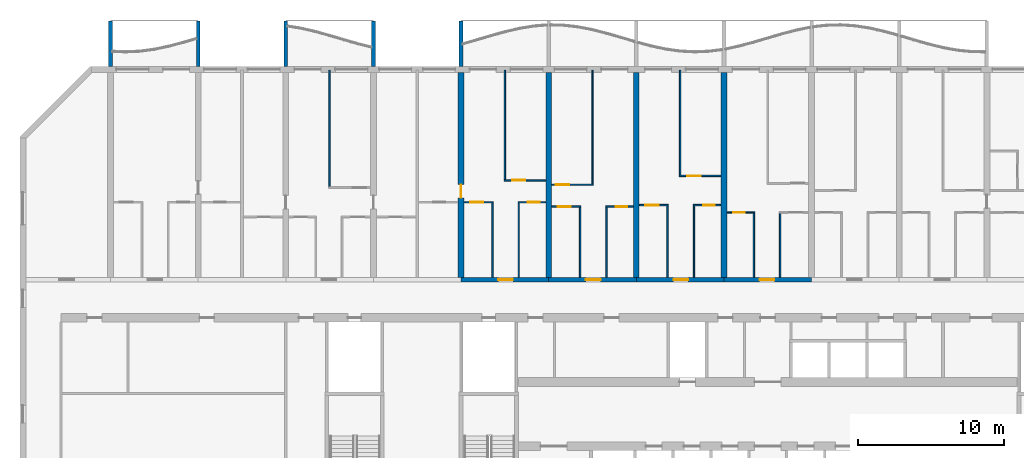
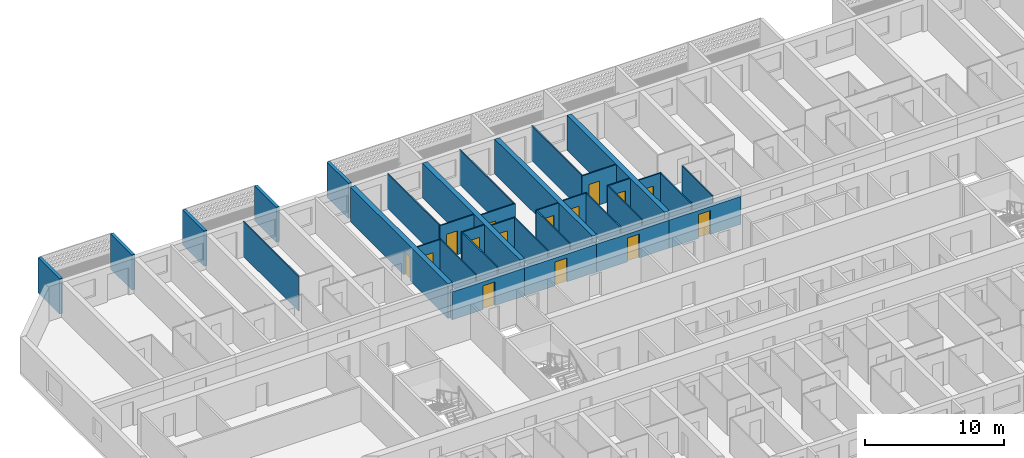
# One storey, part 13 of 44: 35 walls, 15 doors, 15 openings.
"""IFC4 building model written with IfcOpenShell, lengths in metres."""

from ifc_helpers import new_model, si_unit, direction, frame, frame_2d, origin, place, context, subcontext, project, spatial, polyline, rectangle, outline, extrude, source, transform, mapped, material, layer, layer_set, type_object, element, fill, save


model = new_model("IFC4")

# Units and contexts
model_context = context("Model", 3, precision=1e-05, world=origin(), true_north=direction((0.0, 1.0)))
body_context = subcontext(model_context, "Body", "Model", "MODEL_VIEW")
ifc_project = project(units=[si_unit("LENGTHUNIT", "METRE"), si_unit("AREAUNIT", "SQUARE_METRE"), si_unit("VOLUMEUNIT", "CUBIC_METRE"), si_unit("PLANEANGLEUNIT", "RADIAN"), si_unit("MASSUNIT", "GRAM", prefix="KILO")], contexts=[model_context])

# Site, building, storey
site_placement = place(None, origin())
site = spatial("IfcSite", under=ifc_project, at=site_placement, CompositionType="ELEMENT")
building_placement = place(site_placement, origin())
building = spatial("IfcBuilding", under=site, at=building_placement, Name="Poui Terraces", CompositionType="ELEMENT")
storey_placement = place(building_placement, frame((0.0, 0.0, 30.0)))
storey = spatial("IfcBuildingStorey", under=building, at=storey_placement, Name="L07", CompositionType="ELEMENT", Elevation=30.0)

# Wall, opening, door
ifc_material_1 = material(Name="Concrete 80 MPa", Category="concrete")
ifc_layer_1 = layer(ifc_material_1, 0.300048828125)
ifc_layer_set_1 = layer_set([ifc_layer_1], Name="Concrete 80 MPa")
wall_type_1 = type_object("IfcWallType", Name="CORRIDOR WALL 300 80MPa", PredefinedType="SHEAR", material=ifc_layer_set_1)
wall_1_placement = place(storey_placement, frame((30.0, 30.39990234375, 0.0), z_axis=(0.0, 0.0, 1.0), x_axis=(1.0, 0.0, 0.0)))
wall_1 = element("IfcWall", 1, at=wall_1_placement, inside=storey, type_object=wall_type_1, Name="CORRIDOR WALL LINE E BAY 6", PredefinedType="SHEAR", context=body_context, shape_type="SweptSolid", body=[
    extrude(rectangle(XDim=6.0, YDim=0.300048828125, at=frame_2d((3.0, 0.0))), origin(), (0.0, 0.0, 1.0), 2.449951171875),
])
opening_1_placement = place(wall_1_placement, frame((2.550048828125, 0.0, 0.0)))
opening_1 = element("IfcOpeningElement", 2, at=opening_1_placement, cuts=wall_1, Name="Opening FD30S", PredefinedType="OPENING", context=body_context, shape_type="SweptSolid", body=[
    extrude(rectangle(XDim=1.0, YDim=2.10009765625, at=frame_2d((0.5, 1.050048828125))), frame((0.0, 0.16015625, 0.0), z_axis=(0.0, -1.0, 0.0), x_axis=(1.0, 0.0, 0.0)), (0.0, 0.0, 1.0), 0.320068359375),
])
ifc_material_2 = material(Name="Steel fire door", Category="steel")
door_type_1 = type_object("IfcDoorType", Name="FLAT ENTRANCE DOOR 1000 X 2100", OperationType="NOTDEFINED", PredefinedType="DOOR", material=ifc_material_2)
door_1_placement = place(opening_1_placement, origin())
door_1 = element("IfcDoor", 3, at=door_1_placement, inside=storey, type_object=door_type_1, Name="FLAT ENTRANCE DOOR 048", OperationType="SINGLE_SWING_RIGHT", OverallHeight=2.10009765625, OverallWidth=1.0, PredefinedType="DOOR", context=body_context, shape_type="SweptSolid", body=[
    extrude(rectangle(XDim=1.0, YDim=2.10009765625, at=frame_2d((0.5, 1.050048828125))), frame((0.0, 0.02490234375, 0.0), z_axis=(0.0, -1.0, 0.0), x_axis=(1.0, 0.0, 0.0)), (0.0, 0.0, 1.0), 0.050048828125),
])
fill(opening_1, door_1)

wall_2_placement = place(storey_placement, frame((36.0, 30.39990234375, 0.0), z_axis=(0.0, 0.0, 1.0), x_axis=(1.0, 0.0, 0.0)))
wall_2 = element("IfcWall", 4, at=wall_2_placement, inside=storey, type_object=wall_type_1, Name="CORRIDOR WALL LINE E BAY 7", PredefinedType="SHEAR", context=body_context, shape_type="SweptSolid", body=[
    extrude(rectangle(XDim=6.0, YDim=0.300048828125, at=frame_2d((3.0, 0.0))), origin(), (0.0, 0.0, 1.0), 2.449951171875),
])
opening_2_placement = place(wall_2_placement, frame((2.550048828125, 0.0, 0.0)))
opening_2 = element("IfcOpeningElement", 5, at=opening_2_placement, cuts=wall_2, Name="Opening FD30S", PredefinedType="OPENING", context=body_context, shape_type="SweptSolid", body=[
    extrude(rectangle(XDim=1.0, YDim=2.10009765625, at=frame_2d((0.5, 1.050048828125))), frame((0.0, 0.16015625, 0.0), z_axis=(0.0, -1.0, 0.0), x_axis=(1.0, 0.0, 0.0)), (0.0, 0.0, 1.0), 0.320068359375),
])
door_2_placement = place(opening_2_placement, origin())
door_2 = element("IfcDoor", 6, at=door_2_placement, inside=storey, type_object=door_type_1, Name="FLAT ENTRANCE DOOR 053", OperationType="SINGLE_SWING_RIGHT", OverallHeight=2.10009765625, OverallWidth=1.0, PredefinedType="DOOR", context=body_context, shape_type="SweptSolid", body=[
    extrude(rectangle(XDim=1.0, YDim=2.10009765625, at=frame_2d((0.5, 1.050048828125))), frame((0.0, 0.02490234375, 0.0), z_axis=(0.0, -1.0, 0.0), x_axis=(1.0, 0.0, 0.0)), (0.0, 0.0, 1.0), 0.050048828125),
])
fill(opening_2, door_2)

wall_3_placement = place(storey_placement, frame((42.0, 30.39990234375, 0.0), z_axis=(0.0, 0.0, 1.0), x_axis=(1.0, 0.0, 0.0)))
wall_3 = element("IfcWall", 7, at=wall_3_placement, inside=storey, type_object=wall_type_1, Name="CORRIDOR WALL LINE E BAY 8", PredefinedType="SHEAR", context=body_context, shape_type="SweptSolid", body=[
    extrude(rectangle(XDim=6.0, YDim=0.300048828125, at=frame_2d((3.0, 0.0))), origin(), (0.0, 0.0, 1.0), 2.449951171875),
])
opening_3_placement = place(wall_3_placement, frame((2.550048828125, 0.0, 0.0)))
opening_3 = element("IfcOpeningElement", 8, at=opening_3_placement, cuts=wall_3, Name="Opening FD30S", PredefinedType="OPENING", context=body_context, shape_type="SweptSolid", body=[
    extrude(rectangle(XDim=1.0, YDim=2.10009765625, at=frame_2d((0.5, 1.050048828125))), frame((0.0, 0.16015625, 0.0), z_axis=(0.0, -1.0, 0.0), x_axis=(1.0, 0.0, 0.0)), (0.0, 0.0, 1.0), 0.320068359375),
])
door_3_placement = place(opening_3_placement, origin())
door_3 = element("IfcDoor", 9, at=door_3_placement, inside=storey, type_object=door_type_1, Name="FLAT ENTRANCE DOOR 056", OperationType="SINGLE_SWING_RIGHT", OverallHeight=2.10009765625, OverallWidth=1.0, PredefinedType="DOOR", context=body_context, shape_type="SweptSolid", body=[
    extrude(rectangle(XDim=1.0, YDim=2.10009765625, at=frame_2d((0.5, 1.050048828125))), frame((0.0, 0.02490234375, 0.0), z_axis=(0.0, -1.0, 0.0), x_axis=(1.0, 0.0, 0.0)), (0.0, 0.0, 1.0), 0.050048828125),
])
fill(opening_3, door_3)

wall_4_placement = place(storey_placement, frame((48.0, 30.39990234375, 0.0), z_axis=(0.0, 0.0, 1.0), x_axis=(1.0, 0.0, 0.0)))
wall_4 = element("IfcWall", 10, at=wall_4_placement, inside=storey, type_object=wall_type_1, Name="CORRIDOR WALL LINE E BAY 9", PredefinedType="SHEAR", context=body_context, shape_type="SweptSolid", body=[
    extrude(rectangle(XDim=6.0, YDim=0.300048828125, at=frame_2d((3.0, 0.0))), origin(), (0.0, 0.0, 1.0), 2.449951171875),
])
opening_4_placement = place(wall_4_placement, frame((2.449951171875, 0.0, 0.0)))
opening_4 = element("IfcOpeningElement", 11, at=opening_4_placement, cuts=wall_4, Name="Opening FD30S", PredefinedType="OPENING", context=body_context, shape_type="SweptSolid", body=[
    extrude(rectangle(XDim=1.0, YDim=2.10009765625, at=frame_2d((0.5, 1.050048828125))), frame((0.0, 0.16015625, 0.0), z_axis=(0.0, -1.0, 0.0), x_axis=(1.0, 0.0, 0.0)), (0.0, 0.0, 1.0), 0.320068359375),
])
door_4_placement = place(opening_4_placement, origin())
door_4 = element("IfcDoor", 12, at=door_4_placement, inside=storey, type_object=door_type_1, Name="FLAT ENTRANCE DOOR 060", OperationType="SINGLE_SWING_LEFT", OverallHeight=2.10009765625, OverallWidth=1.0, PredefinedType="DOOR", context=body_context, shape_type="SweptSolid", body=[
    extrude(rectangle(XDim=1.0, YDim=2.10009765625, at=frame_2d((0.5, 1.050048828125))), frame((0.0, 0.02490234375, 0.0), z_axis=(0.0, -1.0, 0.0), x_axis=(1.0, 0.0, 0.0)), (0.0, 0.0, 1.0), 0.050048828125),
])
fill(opening_4, door_4)

ifc_layer_2 = layer(ifc_material_1, 0.39990234375)
ifc_layer_set_2 = layer_set([ifc_layer_2], Name="Concrete 80 MPa")
wall_type_2 = type_object("IfcWallType", Name="CROSS WALL 400 80MPa", PredefinedType="SHEAR", material=ifc_layer_set_2)
wall_5_placement = place(storey_placement, frame((30.0, 30.550048828125, 0.0), z_axis=(0.0, 0.0, 1.0), x_axis=(0.0, 1.0, 0.0)))
wall_5 = element("IfcWall", 13, at=wall_5_placement, inside=storey, type_object=wall_type_2, Name="CROSS WALL LINE 6 NORTH", PredefinedType="SHEAR", context=body_context, shape_type="SweptSolid", body=[
    extrude(rectangle(XDim=14.050048828125, YDim=0.39990234375, at=frame_2d((7.02490234375, 0.0))), origin(), (0.0, 0.0, 1.0), 3.050048828125),
])
opening_5_placement = place(wall_5_placement, frame((5.449951171875, 0.0, 0.0)))
opening_5 = element("IfcOpeningElement", 14, at=opening_5_placement, cuts=wall_5, Name="Opening D90", PredefinedType="OPENING", context=body_context, shape_type="SweptSolid", body=[
    extrude(rectangle(XDim=0.89990234375, YDim=2.10009765625, at=frame_2d((0.449951171875, 1.050048828125))), frame((0.0, 0.2099609375, 0.0), z_axis=(0.0, -1.0, 0.0), x_axis=(1.0, 0.0, 0.0)), (0.0, 0.0, 1.0), 0.419921875),
])
ifc_material_3 = material(Name="Solid core timber door", Category="wood")
door_type_2 = type_object("IfcDoorType", Name="INTERNAL DOOR 900 X 2100", OperationType="NOTDEFINED", PredefinedType="DOOR", material=ifc_material_3)
door_5_placement = place(opening_5_placement, origin())
door_5 = element("IfcDoor", 15, at=door_5_placement, inside=storey, type_object=door_type_2, Name="INTERNAL DOOR 046", OperationType="SINGLE_SWING_LEFT", OverallHeight=2.10009765625, OverallWidth=0.89990234375, PredefinedType="DOOR", context=body_context, shape_type="SweptSolid", body=[
    extrude(rectangle(XDim=0.89990234375, YDim=2.10009765625, at=frame_2d((0.449951171875, 1.050048828125))), frame((0.0, 0.02490234375, 0.0), z_axis=(0.0, -1.0, 0.0), x_axis=(1.0, 0.0, 0.0)), (0.0, 0.0, 1.0), 0.050048828125),
])
fill(opening_5, door_5)

# Walls
for number, where, z_axis, x_axis, name in (
    (16, (36.0, 30.550048828125, 0.0), (0.0, 0.0, 1.0), (0.0, 1.0, 0.0), "CROSS WALL LINE 7 NORTH"),
    (17, (42.0, 30.550048828125, 0.0), (0.0, 0.0, 1.0), (0.0, 1.0, 0.0), "CROSS WALL LINE 8 NORTH"),
    (18, (48.0, 30.550048828125, 0.0), (0.0, 0.0, 1.0), (0.0, 1.0, 0.0), "CROSS WALL LINE 9 NORTH"),
):
    element("IfcWall", number, at=place(storey_placement, frame(where, z_axis=z_axis, x_axis=x_axis)), inside=storey, type_object=wall_type_2, Name=name, PredefinedType="SHEAR", context=body_context, shape_type="SweptSolid", body=[
        extrude(rectangle(XDim=14.050048828125, YDim=0.39990234375, at=frame_2d((7.02490234375, 0.0))), origin(), (0.0, 0.0, 1.0), 3.050048828125),
    ])

# Wall, opening, door
ifc_material_4 = material(Name="Plasterboard partition")
ifc_layer_3 = layer(ifc_material_4, 0.10009765625)
ifc_layer_set_3 = layer_set([ifc_layer_3], Name="Plasterboard partition")
wall_type_3 = type_object("IfcWallType", Name="FLAT PARTITION 100", PredefinedType="PARTITIONING", material=ifc_layer_set_3)
wall_6_placement = place(storey_placement, frame((48.2099609375, 35.0, 0.0), z_axis=(0.0, 0.0, 1.0), x_axis=(1.0, 0.0, 0.0)))
wall_6 = element("IfcWall", 19, at=wall_6_placement, inside=storey, type_object=wall_type_3, Name="FLAT PARTITION 100", PredefinedType="PARTITIONING", context=body_context, shape_type="SweptSolid", body=[
    extrude(rectangle(XDim=1.89013671875, YDim=0.10009765625, at=frame_2d((0.945068359375, 0.0))), origin(), (0.0, 0.0, 1.0), 3.050048828125),
])
opening_6_placement = place(wall_6_placement, frame((0.4150390625, 0.0, 0.0)))
opening_6 = element("IfcOpeningElement", 20, at=opening_6_placement, cuts=wall_6, Name="Opening D80", PredefinedType="OPENING", context=body_context, shape_type="SweptSolid", body=[
    extrude(rectangle(XDim=0.800048828125, YDim=2.10009765625, at=frame_2d((0.39990234375, 1.050048828125))), frame((0.0, 0.06005859375, 0.0), z_axis=(0.0, -1.0, 0.0), x_axis=(1.0, 0.0, 0.0)), (0.0, 0.0, 1.0), 0.1201171875),
])
door_type_3 = type_object("IfcDoorType", Name="BATHROOM, LAUNDRY AND STORE DOOR 800 X 2100", OperationType="NOTDEFINED", PredefinedType="DOOR", material=ifc_material_3)
door_6_placement = place(opening_6_placement, frame((0.800048828125, 0.0, 0.0), z_axis=(0.0, 0.0, 1.0), x_axis=(-1.0, 0.0, 0.0)))
door_6 = element("IfcDoor", 21, at=door_6_placement, inside=storey, type_object=door_type_3, Name="BATHROOM, LAUNDRY AND STORE DOOR 059", OperationType="SINGLE_SWING_RIGHT", OverallHeight=2.10009765625, OverallWidth=0.800048828125, PredefinedType="DOOR", context=body_context, shape_type="SweptSolid", body=[
    extrude(rectangle(XDim=0.800048828125, YDim=2.10009765625, at=frame_2d((0.39990234375, 1.050048828125))), frame((0.0, 0.02490234375, 0.0), z_axis=(0.0, -1.0, 0.0), x_axis=(1.0, 0.0, 0.0)), (0.0, 0.0, 1.0), 0.050048828125),
])
fill(opening_6, door_6)

wall_7_placement = place(storey_placement, frame((36.2099609375, 35.39990234375, 0.0), z_axis=(0.0, 0.0, 1.0), x_axis=(1.0, 0.0, 0.0)))
wall_7 = element("IfcWall", 22, at=wall_7_placement, inside=storey, type_object=wall_type_3, Name="FLAT PARTITION 100", PredefinedType="PARTITIONING", context=body_context, shape_type="SweptSolid", body=[
    extrude(rectangle(XDim=1.989990234375, YDim=0.10009765625, at=frame_2d((0.9951171875, 0.0))), origin(), (0.0, 0.0, 1.0), 3.050048828125),
])
opening_7_placement = place(wall_7_placement, frame((0.4150390625, 0.0, 0.0)))
opening_7 = element("IfcOpeningElement", 23, at=opening_7_placement, cuts=wall_7, Name="Opening D90", PredefinedType="OPENING", context=body_context, shape_type="SweptSolid", body=[
    extrude(rectangle(XDim=0.89990234375, YDim=2.10009765625, at=frame_2d((0.449951171875, 1.050048828125))), frame((0.0, 0.06005859375, 0.0), z_axis=(0.0, -1.0, 0.0), x_axis=(1.0, 0.0, 0.0)), (0.0, 0.0, 1.0), 0.1201171875),
])
door_7_placement = place(opening_7_placement, frame((0.89990234375, 0.0, 0.0), z_axis=(0.0, 0.0, 1.0), x_axis=(-1.0, 0.0, 0.0)))
door_7 = element("IfcDoor", 24, at=door_7_placement, inside=storey, type_object=door_type_2, Name="INTERNAL DOOR 052", OperationType="SINGLE_SWING_RIGHT", OverallHeight=2.10009765625, OverallWidth=0.89990234375, PredefinedType="DOOR", context=body_context, shape_type="SweptSolid", body=[
    extrude(rectangle(XDim=0.89990234375, YDim=2.10009765625, at=frame_2d((0.449951171875, 1.050048828125))), frame((0.0, 0.02490234375, 0.0), z_axis=(0.0, -1.0, 0.0), x_axis=(1.0, 0.0, 0.0)), (0.0, 0.0, 1.0), 0.050048828125),
])
fill(opening_7, door_7)

wall_8_placement = place(storey_placement, frame((39.89990234375, 35.39990234375, 0.0), z_axis=(0.0, 0.0, 1.0), x_axis=(1.0, 0.0, 0.0)))
wall_8 = element("IfcWall", 25, at=wall_8_placement, inside=storey, type_object=wall_type_3, Name="FLAT PARTITION 100", PredefinedType="PARTITIONING", context=body_context, shape_type="SweptSolid", body=[
    extrude(rectangle(XDim=1.89013671875, YDim=0.10009765625, at=frame_2d((0.945068359375, 0.0))), origin(), (0.0, 0.0, 1.0), 3.050048828125),
])
opening_8_placement = place(wall_8_placement, frame((0.675048828125, 0.0, 0.0)))
opening_8 = element("IfcOpeningElement", 26, at=opening_8_placement, cuts=wall_8, Name="Opening D80", PredefinedType="OPENING", context=body_context, shape_type="SweptSolid", body=[
    extrude(rectangle(XDim=0.800048828125, YDim=2.10009765625, at=frame_2d((0.39990234375, 1.050048828125))), frame((0.0, 0.06005859375, 0.0), z_axis=(0.0, -1.0, 0.0), x_axis=(1.0, 0.0, 0.0)), (0.0, 0.0, 1.0), 0.1201171875),
])
door_8_placement = place(opening_8_placement, frame((0.800048828125, 0.0, 0.0), z_axis=(0.0, 0.0, 1.0), x_axis=(-1.0, 0.0, 0.0)))
door_8 = element("IfcDoor", 27, at=door_8_placement, inside=storey, type_object=door_type_3, Name="BATHROOM, LAUNDRY AND STORE DOOR 054", OperationType="SINGLE_SWING_LEFT", OverallHeight=2.10009765625, OverallWidth=0.800048828125, PredefinedType="DOOR", context=body_context, shape_type="SweptSolid", body=[
    extrude(rectangle(XDim=0.800048828125, YDim=2.10009765625, at=frame_2d((0.39990234375, 1.050048828125))), frame((0.0, 0.02490234375, 0.0), z_axis=(0.0, -1.0, 0.0), x_axis=(1.0, 0.0, 0.0)), (0.0, 0.0, 1.0), 0.050048828125),
])
fill(opening_8, door_8)

wall_9_placement = place(storey_placement, frame((42.2099609375, 35.5, 0.0), z_axis=(0.0, 0.0, 1.0), x_axis=(1.0, 0.0, 0.0)))
wall_9 = element("IfcWall", 28, at=wall_9_placement, inside=storey, type_object=wall_type_3, Name="FLAT PARTITION 100", PredefinedType="PARTITIONING", context=body_context, shape_type="SweptSolid", body=[
    extrude(rectangle(XDim=1.989990234375, YDim=0.10009765625, at=frame_2d((0.9951171875, 0.0))), origin(), (0.0, 0.0, 1.0), 3.050048828125),
])
opening_9_placement = place(wall_9_placement, frame((0.4150390625, 0.0, 0.0)))
opening_9 = element("IfcOpeningElement", 29, at=opening_9_placement, cuts=wall_9, Name="Opening D90", PredefinedType="OPENING", context=body_context, shape_type="SweptSolid", body=[
    extrude(rectangle(XDim=0.89990234375, YDim=2.10009765625, at=frame_2d((0.449951171875, 1.050048828125))), frame((0.0, 0.06005859375, 0.0), z_axis=(0.0, -1.0, 0.0), x_axis=(1.0, 0.0, 0.0)), (0.0, 0.0, 1.0), 0.1201171875),
])
door_9_placement = place(opening_9_placement, frame((0.89990234375, 0.0, 0.0), z_axis=(0.0, 0.0, 1.0), x_axis=(-1.0, 0.0, 0.0)))
door_9 = element("IfcDoor", 30, at=door_9_placement, inside=storey, type_object=door_type_2, Name="INTERNAL DOOR 055", OperationType="SINGLE_SWING_LEFT", OverallHeight=2.10009765625, OverallWidth=0.89990234375, PredefinedType="DOOR", context=body_context, shape_type="SweptSolid", body=[
    extrude(rectangle(XDim=0.89990234375, YDim=2.10009765625, at=frame_2d((0.449951171875, 1.050048828125))), frame((0.0, 0.02490234375, 0.0), z_axis=(0.0, -1.0, 0.0), x_axis=(1.0, 0.0, 0.0)), (0.0, 0.0, 1.0), 0.050048828125),
])
fill(opening_9, door_9)

wall_10_placement = place(storey_placement, frame((45.89990234375, 35.5, 0.0), z_axis=(0.0, 0.0, 1.0), x_axis=(1.0, 0.0, 0.0)))
wall_10 = element("IfcWall", 31, at=wall_10_placement, inside=storey, type_object=wall_type_3, Name="FLAT PARTITION 100", PredefinedType="PARTITIONING", context=body_context, shape_type="SweptSolid", body=[
    extrude(rectangle(XDim=1.89013671875, YDim=0.10009765625, at=frame_2d((0.945068359375, 0.0))), origin(), (0.0, 0.0, 1.0), 3.050048828125),
])
opening_10_placement = place(wall_10_placement, frame((0.675048828125, 0.0, 0.0)))
opening_10 = element("IfcOpeningElement", 32, at=opening_10_placement, cuts=wall_10, Name="Opening D80", PredefinedType="OPENING", context=body_context, shape_type="SweptSolid", body=[
    extrude(rectangle(XDim=0.800048828125, YDim=2.10009765625, at=frame_2d((0.39990234375, 1.050048828125))), frame((0.0, 0.06005859375, 0.0), z_axis=(0.0, -1.0, 0.0), x_axis=(1.0, 0.0, 0.0)), (0.0, 0.0, 1.0), 0.1201171875),
])
door_10_placement = place(opening_10_placement, frame((0.800048828125, 0.0, 0.0), z_axis=(0.0, 0.0, 1.0), x_axis=(-1.0, 0.0, 0.0)))
door_10 = element("IfcDoor", 33, at=door_10_placement, inside=storey, type_object=door_type_3, Name="BATHROOM, LAUNDRY AND STORE DOOR 058", OperationType="SINGLE_SWING_RIGHT", OverallHeight=2.10009765625, OverallWidth=0.800048828125, PredefinedType="DOOR", context=body_context, shape_type="SweptSolid", body=[
    extrude(rectangle(XDim=0.800048828125, YDim=2.10009765625, at=frame_2d((0.39990234375, 1.050048828125))), frame((0.0, 0.02490234375, 0.0), z_axis=(0.0, -1.0, 0.0), x_axis=(1.0, 0.0, 0.0)), (0.0, 0.0, 1.0), 0.050048828125),
])
fill(opening_10, door_10)

wall_11_placement = place(storey_placement, frame((30.2099609375, 35.699951171875, 0.0), z_axis=(0.0, 0.0, 1.0), x_axis=(1.0, 0.0, 0.0)))
wall_11 = element("IfcWall", 34, at=wall_11_placement, inside=storey, type_object=wall_type_3, Name="FLAT PARTITION 100", PredefinedType="PARTITIONING", context=body_context, shape_type="SweptSolid", body=[
    extrude(rectangle(XDim=1.989990234375, YDim=0.10009765625, at=frame_2d((0.9951171875, 0.0))), origin(), (0.0, 0.0, 1.0), 3.050048828125),
])
opening_11_placement = place(wall_11_placement, frame((0.4150390625, 0.0, 0.0)))
opening_11 = element("IfcOpeningElement", 35, at=opening_11_placement, cuts=wall_11, Name="Opening D90", PredefinedType="OPENING", context=body_context, shape_type="SweptSolid", body=[
    extrude(rectangle(XDim=0.89990234375, YDim=2.10009765625, at=frame_2d((0.449951171875, 1.050048828125))), frame((0.0, 0.06005859375, 0.0), z_axis=(0.0, -1.0, 0.0), x_axis=(1.0, 0.0, 0.0)), (0.0, 0.0, 1.0), 0.1201171875),
])
door_11_placement = place(opening_11_placement, frame((0.89990234375, 0.0, 0.0), z_axis=(0.0, 0.0, 1.0), x_axis=(-1.0, 0.0, 0.0)))
door_11 = element("IfcDoor", 36, at=door_11_placement, inside=storey, type_object=door_type_2, Name="INTERNAL DOOR 047", OperationType="SINGLE_SWING_LEFT", OverallHeight=2.10009765625, OverallWidth=0.89990234375, PredefinedType="DOOR", context=body_context, shape_type="SweptSolid", body=[
    extrude(rectangle(XDim=0.89990234375, YDim=2.10009765625, at=frame_2d((0.449951171875, 1.050048828125))), frame((0.0, 0.02490234375, 0.0), z_axis=(0.0, -1.0, 0.0), x_axis=(1.0, 0.0, 0.0)), (0.0, 0.0, 1.0), 0.050048828125),
])
fill(opening_11, door_11)

wall_12_placement = place(storey_placement, frame((33.89990234375, 35.699951171875, 0.0), z_axis=(0.0, 0.0, 1.0), x_axis=(1.0, 0.0, 0.0)))
wall_12 = element("IfcWall", 37, at=wall_12_placement, inside=storey, type_object=wall_type_3, Name="FLAT PARTITION 100", PredefinedType="PARTITIONING", context=body_context, shape_type="SweptSolid", body=[
    extrude(rectangle(XDim=1.89013671875, YDim=0.10009765625, at=frame_2d((0.945068359375, 0.0))), origin(), (0.0, 0.0, 1.0), 3.050048828125),
])
opening_12_placement = place(wall_12_placement, frame((0.675048828125, 0.0, 0.0)))
opening_12 = element("IfcOpeningElement", 38, at=opening_12_placement, cuts=wall_12, Name="Opening D80", PredefinedType="OPENING", context=body_context, shape_type="SweptSolid", body=[
    extrude(rectangle(XDim=0.800048828125, YDim=2.10009765625, at=frame_2d((0.39990234375, 1.050048828125))), frame((0.0, 0.06005859375, 0.0), z_axis=(0.0, -1.0, 0.0), x_axis=(1.0, 0.0, 0.0)), (0.0, 0.0, 1.0), 0.1201171875),
])
door_12_placement = place(opening_12_placement, frame((0.800048828125, 0.0, 0.0), z_axis=(0.0, 0.0, 1.0), x_axis=(-1.0, 0.0, 0.0)))
door_12 = element("IfcDoor", 39, at=door_12_placement, inside=storey, type_object=door_type_3, Name="BATHROOM, LAUNDRY AND STORE DOOR 050", OperationType="SINGLE_SWING_RIGHT", OverallHeight=2.10009765625, OverallWidth=0.800048828125, PredefinedType="DOOR", context=body_context, shape_type="SweptSolid", body=[
    extrude(rectangle(XDim=0.800048828125, YDim=2.10009765625, at=frame_2d((0.39990234375, 1.050048828125))), frame((0.0, 0.02490234375, 0.0), z_axis=(0.0, -1.0, 0.0), x_axis=(1.0, 0.0, 0.0)), (0.0, 0.0, 1.0), 0.050048828125),
])
fill(opening_12, door_12)

wall_13_placement = place(storey_placement, frame((36.2099609375, 36.89990234375, 0.0), z_axis=(0.0, 0.0, 1.0), x_axis=(1.0, 0.0, 0.0)))
wall_13 = element("IfcWall", 40, at=wall_13_placement, inside=storey, type_object=wall_type_3, Name="FLAT PARTITION 100", PredefinedType="PARTITIONING", context=body_context, shape_type="SweptSolid", body=[
    extrude(rectangle(XDim=2.840087890625, YDim=0.10009765625, at=frame_2d((1.419921875, 0.0))), origin(), (0.0, 0.0, 1.0), 3.050048828125),
])
opening_13_placement = place(wall_13_placement, frame((0.2900390625, 0.0, 0.0)))
opening_13 = element("IfcOpeningElement", 41, at=opening_13_placement, cuts=wall_13, Name="Opening D90", PredefinedType="OPENING", context=body_context, shape_type="SweptSolid", body=[
    extrude(rectangle(XDim=0.89990234375, YDim=2.10009765625, at=frame_2d((0.449951171875, 1.050048828125))), frame((0.0, 0.06005859375, 0.0), z_axis=(0.0, -1.0, 0.0), x_axis=(1.0, 0.0, 0.0)), (0.0, 0.0, 1.0), 0.1201171875),
])
door_13_placement = place(opening_13_placement, frame((0.89990234375, 0.0, 0.0), z_axis=(0.0, 0.0, 1.0), x_axis=(-1.0, 0.0, 0.0)))
door_13 = element("IfcDoor", 42, at=door_13_placement, inside=storey, type_object=door_type_2, Name="INTERNAL DOOR 051", OperationType="SINGLE_SWING_LEFT", OverallHeight=2.10009765625, OverallWidth=0.89990234375, PredefinedType="DOOR", context=body_context, shape_type="SweptSolid", body=[
    extrude(rectangle(XDim=0.89990234375, YDim=2.10009765625, at=frame_2d((0.449951171875, 1.050048828125))), frame((0.0, 0.02490234375, 0.0), z_axis=(0.0, -1.0, 0.0), x_axis=(1.0, 0.0, 0.0)), (0.0, 0.0, 1.0), 0.050048828125),
])
fill(opening_13, door_13)

wall_14_placement = place(storey_placement, frame((32.949951171875, 37.199951171875, 0.0), z_axis=(0.0, 0.0, 1.0), x_axis=(1.0, 0.0, 0.0)))
wall_14 = element("IfcWall", 43, at=wall_14_placement, inside=storey, type_object=wall_type_3, Name="FLAT PARTITION 100", PredefinedType="PARTITIONING", context=body_context, shape_type="SweptSolid", body=[
    extrude(rectangle(XDim=2.840087890625, YDim=0.10009765625, at=frame_2d((1.419921875, 0.0))), origin(), (0.0, 0.0, 1.0), 3.050048828125),
])
opening_14_placement = place(wall_14_placement, frame((0.550048828125, 0.0, 0.0)))
opening_14 = element("IfcOpeningElement", 44, at=opening_14_placement, cuts=wall_14, Name="Opening D90", PredefinedType="OPENING", context=body_context, shape_type="SweptSolid", body=[
    extrude(rectangle(XDim=0.89990234375, YDim=2.10009765625, at=frame_2d((0.449951171875, 1.050048828125))), frame((0.0, 0.06005859375, 0.0), z_axis=(0.0, -1.0, 0.0), x_axis=(1.0, 0.0, 0.0)), (0.0, 0.0, 1.0), 0.1201171875),
])
door_14_placement = place(opening_14_placement, frame((0.89990234375, 0.0, 0.0), z_axis=(0.0, 0.0, 1.0), x_axis=(-1.0, 0.0, 0.0)))
door_14 = element("IfcDoor", 45, at=door_14_placement, inside=storey, type_object=door_type_2, Name="INTERNAL DOOR 049", OperationType="SINGLE_SWING_LEFT", OverallHeight=2.10009765625, OverallWidth=0.89990234375, PredefinedType="DOOR", context=body_context, shape_type="SweptSolid", body=[
    extrude(rectangle(XDim=0.89990234375, YDim=2.10009765625, at=frame_2d((0.449951171875, 1.050048828125))), frame((0.0, 0.02490234375, 0.0), z_axis=(0.0, -1.0, 0.0), x_axis=(1.0, 0.0, 0.0)), (0.0, 0.0, 1.0), 0.050048828125),
])
fill(opening_14, door_14)

wall_15_placement = place(storey_placement, frame((44.949951171875, 37.5, 0.0), z_axis=(0.0, 0.0, 1.0), x_axis=(1.0, 0.0, 0.0)))
wall_15 = element("IfcWall", 46, at=wall_15_placement, inside=storey, type_object=wall_type_3, Name="FLAT PARTITION 100", PredefinedType="PARTITIONING", context=body_context, shape_type="SweptSolid", body=[
    extrude(rectangle(XDim=2.840087890625, YDim=0.10009765625, at=frame_2d((1.419921875, 0.0))), origin(), (0.0, 0.0, 1.0), 3.050048828125),
])
opening_15_placement = place(wall_15_placement, frame((0.550048828125, 0.0, 0.0)))
opening_15 = element("IfcOpeningElement", 47, at=opening_15_placement, cuts=wall_15, Name="Opening D90", PredefinedType="OPENING", context=body_context, shape_type="SweptSolid", body=[
    extrude(rectangle(XDim=0.89990234375, YDim=2.10009765625, at=frame_2d((0.449951171875, 1.050048828125))), frame((0.0, 0.06005859375, 0.0), z_axis=(0.0, -1.0, 0.0), x_axis=(1.0, 0.0, 0.0)), (0.0, 0.0, 1.0), 0.1201171875),
])
door_15_placement = place(opening_15_placement, frame((0.89990234375, 0.0, 0.0), z_axis=(0.0, 0.0, 1.0), x_axis=(-1.0, 0.0, 0.0)))
door_15 = element("IfcDoor", 48, at=door_15_placement, inside=storey, type_object=door_type_2, Name="INTERNAL DOOR 057", OperationType="SINGLE_SWING_LEFT", OverallHeight=2.10009765625, OverallWidth=0.89990234375, PredefinedType="DOOR", context=body_context, shape_type="SweptSolid", body=[
    extrude(rectangle(XDim=0.89990234375, YDim=2.10009765625, at=frame_2d((0.449951171875, 1.050048828125))), frame((0.0, 0.02490234375, 0.0), z_axis=(0.0, -1.0, 0.0), x_axis=(1.0, 0.0, 0.0)), (0.0, 0.0, 1.0), 0.050048828125),
])
fill(opening_15, door_15)

# Walls
wall_16_placement = place(storey_placement, frame((21.0, 36.75, 0.0), z_axis=(0.0, 0.0, 1.0), x_axis=(0.0, 1.0, 0.0)))
element("IfcWall", 49, at=wall_16_placement, inside=storey, type_object=wall_type_3, Name="FLAT PARTITION 100", PredefinedType="PARTITIONING", context=body_context, shape_type="SweptSolid", body=[
    extrude(rectangle(XDim=7.989990234375, YDim=0.10009765625, at=frame_2d((3.9951171875, 0.0))), origin(), (0.0, 0.0, 1.0), 3.050048828125),
])
wall_17_placement = place(storey_placement, frame((32.14990234375, 30.56005859375, 0.0), z_axis=(0.0, 0.0, 1.0), x_axis=(0.0, 1.0, 0.0)))
element("IfcWall", 50, at=wall_17_placement, inside=storey, type_object=wall_type_3, Name="FLAT PARTITION 100", PredefinedType="PARTITIONING", context=body_context, shape_type="SweptSolid", body=[
    extrude(rectangle(XDim=5.08984375, YDim=0.10009765625, at=frame_2d((2.544921875, 0.0))), origin(), (0.0, 0.0, 1.0), 3.050048828125),
])
wall_18_placement = place(storey_placement, frame((33.0, 37.25, 0.0), z_axis=(0.0, 0.0, 1.0), x_axis=(0.0, 1.0, 0.0)))
element("IfcWall", 51, at=wall_18_placement, inside=storey, type_object=wall_type_3, Name="FLAT PARTITION 100", PredefinedType="PARTITIONING", context=body_context, shape_type="SweptSolid", body=[
    extrude(rectangle(XDim=7.489990234375, YDim=0.10009765625, at=frame_2d((3.7451171875, 0.0))), origin(), (0.0, 0.0, 1.0), 3.050048828125),
])
wall_19_placement = place(storey_placement, frame((33.949951171875, 30.56005859375, 0.0), z_axis=(0.0, 0.0, 1.0), x_axis=(0.0, 1.0, 0.0)))
element("IfcWall", 52, at=wall_19_placement, inside=storey, type_object=wall_type_3, Name="FLAT PARTITION 100", PredefinedType="PARTITIONING", context=body_context, shape_type="SweptSolid", body=[
    extrude(rectangle(XDim=5.08984375, YDim=0.10009765625, at=frame_2d((2.544921875, 0.0))), origin(), (0.0, 0.0, 1.0), 3.050048828125),
])
wall_20_placement = place(storey_placement, frame((38.14990234375, 30.56005859375, 0.0), z_axis=(0.0, 0.0, 1.0), x_axis=(0.0, 1.0, 0.0)))
element("IfcWall", 53, at=wall_20_placement, inside=storey, type_object=wall_type_3, Name="FLAT PARTITION 100", PredefinedType="PARTITIONING", context=body_context, shape_type="SweptSolid", body=[
    extrude(rectangle(XDim=4.7900390625, YDim=0.10009765625, at=frame_2d((2.39501953125, 0.0))), origin(), (0.0, 0.0, 1.0), 3.050048828125),
])
wall_21_placement = place(storey_placement, frame((39.0, 36.949951171875, 0.0), z_axis=(0.0, 0.0, 1.0), x_axis=(0.0, 1.0, 0.0)))
element("IfcWall", 54, at=wall_21_placement, inside=storey, type_object=wall_type_3, Name="FLAT PARTITION 100", PredefinedType="PARTITIONING", context=body_context, shape_type="SweptSolid", body=[
    extrude(rectangle(XDim=7.7900390625, YDim=0.10009765625, at=frame_2d((3.89501953125, 0.0))), origin(), (0.0, 0.0, 1.0), 3.050048828125),
])
wall_22_placement = place(storey_placement, frame((39.949951171875, 30.56005859375, 0.0), z_axis=(0.0, 0.0, 1.0), x_axis=(0.0, 1.0, 0.0)))
element("IfcWall", 55, at=wall_22_placement, inside=storey, type_object=wall_type_3, Name="FLAT PARTITION 100", PredefinedType="PARTITIONING", context=body_context, shape_type="SweptSolid", body=[
    extrude(rectangle(XDim=4.7900390625, YDim=0.10009765625, at=frame_2d((2.39501953125, 0.0))), origin(), (0.0, 0.0, 1.0), 3.050048828125),
])
wall_23_placement = place(storey_placement, frame((44.14990234375, 30.56005859375, 0.0), z_axis=(0.0, 0.0, 1.0), x_axis=(0.0, 1.0, 0.0)))
element("IfcWall", 56, at=wall_23_placement, inside=storey, type_object=wall_type_3, Name="FLAT PARTITION 100", PredefinedType="PARTITIONING", context=body_context, shape_type="SweptSolid", body=[
    extrude(rectangle(XDim=4.889892578125, YDim=0.10009765625, at=frame_2d((2.44482421875, 0.0))), origin(), (0.0, 0.0, 1.0), 3.050048828125),
])
wall_24_placement = place(storey_placement, frame((45.0, 37.550048828125, 0.0), z_axis=(0.0, 0.0, 1.0), x_axis=(0.0, 1.0, 0.0)))
element("IfcWall", 57, at=wall_24_placement, inside=storey, type_object=wall_type_3, Name="FLAT PARTITION 100", PredefinedType="PARTITIONING", context=body_context, shape_type="SweptSolid", body=[
    extrude(rectangle(XDim=7.18994140625, YDim=0.10009765625, at=frame_2d((3.594970703125, 0.0))), origin(), (0.0, 0.0, 1.0), 3.050048828125),
])
wall_25_placement = place(storey_placement, frame((45.949951171875, 30.56005859375, 0.0), z_axis=(0.0, 0.0, 1.0), x_axis=(0.0, 1.0, 0.0)))
element("IfcWall", 58, at=wall_25_placement, inside=storey, type_object=wall_type_3, Name="FLAT PARTITION 100", PredefinedType="PARTITIONING", context=body_context, shape_type="SweptSolid", body=[
    extrude(rectangle(XDim=4.889892578125, YDim=0.10009765625, at=frame_2d((2.44482421875, 0.0))), origin(), (0.0, 0.0, 1.0), 3.050048828125),
])
for number, where, z_axis, x_axis, name in (
    (59, (50.050048828125, 30.56005859375, 0.0), (0.0, 0.0, 1.0), (0.0, 1.0, 0.0), "FLAT PARTITION 100"),
    (60, (51.85009765625, 30.56005859375, 0.0), (0.0, 0.0, 1.0), (0.0, 1.0, 0.0), "FLAT PARTITION 100"),
):
    element("IfcWall", number, at=place(storey_placement, frame(where, z_axis=z_axis, x_axis=x_axis)), inside=storey, type_object=wall_type_3, Name=name, PredefinedType="PARTITIONING", context=body_context, shape_type="SweptSolid", body=[
        extrude(rectangle(XDim=4.389892578125, YDim=0.10009765625, at=frame_2d((2.19482421875, 0.0))), origin(), (0.0, 0.0, 1.0), 3.050048828125),
    ])
ifc_material_5 = material(Name="Precast concrete 40 MPa", Category="concrete")
ifc_layer_4 = layer(ifc_material_5, 0.25)
ifc_layer_set_4 = layer_set([ifc_layer_4], Name="Precast concrete 40 MPa")
wall_type_4 = type_object("IfcWallType", Name="BALCONY FIN 250", PredefinedType="STANDARD", material=ifc_layer_set_4)
shared_shape = source(origin(), body_context, "Body", "SweptSolid", [
    extrude(outline(polyline([(0.0, 0.0), (0.25, 0.0), (0.25, 3.10009765625), (0.0, 3.10009765625), (0.0, 0.0)])), origin(), (0.0, 0.0, 1.0), 3.10009765625),
])
for number, where, name in (
    (61, (5.875, 45.0, 0.0), "BALCONY FIN"),
    (62, (11.875, 45.0, 0.0), "BALCONY FIN"),
    (63, (17.875, 45.0, 0.0), "BALCONY FIN"),
    (64, (23.875, 45.0, 0.0), "BALCONY FIN"),
    (65, (29.875, 45.0, 0.0), "BALCONY FIN"),
):
    element("IfcWall", number, at=place(storey_placement, frame(where)), inside=storey, type_object=wall_type_4, Name=name, PredefinedType="STANDARD", context=body_context, shape_type="MappedRepresentation", body=[
        mapped(shared_shape, transform((0.0, 0.0, 0.0))),
    ])

save(model, "model.ifc")
